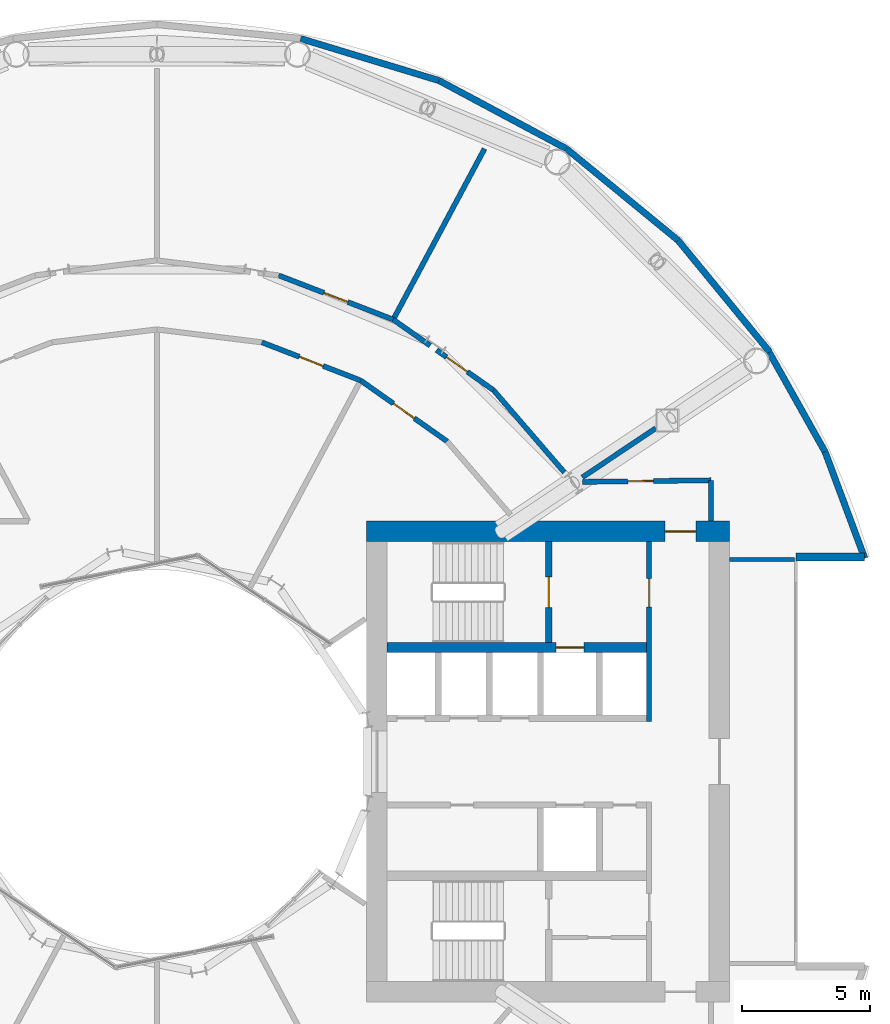
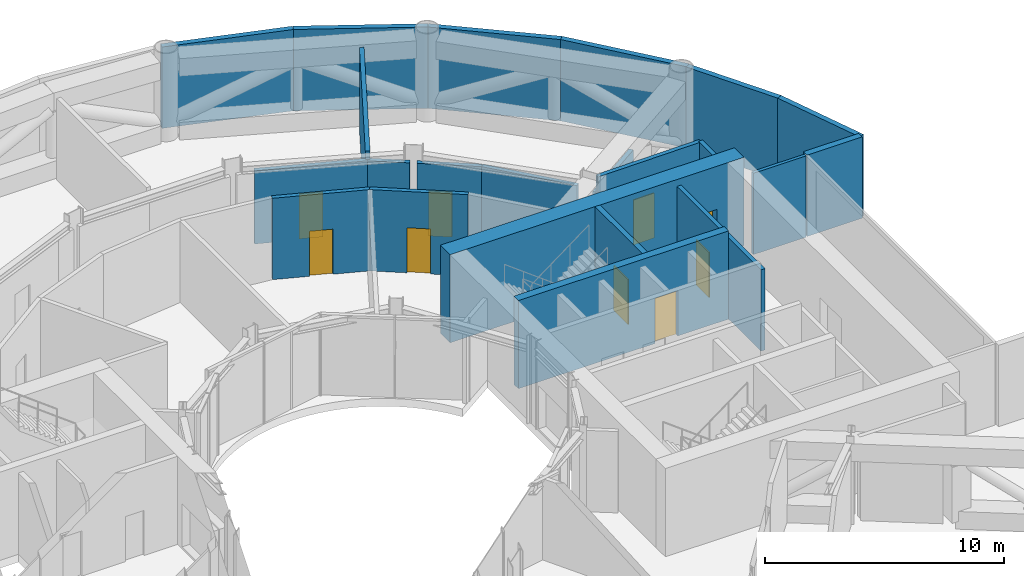
# One storey, part 13 of 15: 22 walls, 9 doors, 9 openings.
"""IFC4 building model written with IfcOpenShell, lengths in metres."""

from ifc_helpers import new_model, si_unit, direction, frame, frame_2d, origin, place, context, subcontext, project, spatial, rectangle, extrude, material, layer, layer_set, type_object, element, fill, save


model = new_model("IFC4")

# Units and contexts
model_context = context("Model", 3, precision=1e-05, world=origin(), true_north=direction((0.0, 1.0)))
body_context = subcontext(model_context, "Body", "Model", "MODEL_VIEW")
ifc_project = project(units=[si_unit("LENGTHUNIT", "METRE"), si_unit("AREAUNIT", "SQUARE_METRE"), si_unit("VOLUMEUNIT", "CUBIC_METRE"), si_unit("PLANEANGLEUNIT", "RADIAN"), si_unit("MASSUNIT", "GRAM", prefix="KILO")], contexts=[model_context])

# Site, building, storey
site_placement = place(None, origin())
site = spatial("IfcSite", under=ifc_project, at=site_placement, CompositionType="ELEMENT")
building_placement = place(site_placement, origin())
building = spatial("IfcBuilding", under=site, at=building_placement, Name="Maasbend Ring Residences", CompositionType="ELEMENT")
storey_placement = place(building_placement, frame((0.0, 0.0, 18.300048828125)))
storey = spatial("IfcBuildingStorey", under=building, at=storey_placement, Name="L04", CompositionType="ELEMENT", Elevation=18.300048828125)

# Walls
ifc_material_1 = material(Name="Concrete C30/37", Category="concrete")
ifc_layer_1 = layer(ifc_material_1, 0.199951171875)
ifc_layer_set_1 = layer_set([ifc_layer_1], Name="Concrete C30/37")
wall_type_1 = type_object("IfcWallType", Name="COMPARTMENT WALL 200 CONCRETE", PredefinedType="PARTITIONING", material=ifc_layer_set_1)
wall_1_placement = place(storey_placement, frame((21.675048828125, 9.39990234375, 0.0), z_axis=(0.0, 0.0, 1.0), x_axis=(0.0, 1.0, 0.0)))
element("IfcWall", 1, at=wall_1_placement, inside=storey, type_object=wall_type_1, Name="U-L04-w002", PredefinedType="PARTITIONING", context=body_context, shape_type="SweptSolid", body=[
    extrude(rectangle(XDim=1.60009765625, YDim=0.199951171875, at=frame_2d((0.800048828125, 0.0))), origin(), (0.0, 0.0, 1.0), 4.14990234375),
])
wall_2_placement = place(storey_placement, frame((16.635986328125, 11.114990234375, 0.0), z_axis=(0.0, 0.0, 1.0), x_axis=(0.831331256958, 0.555777240632, 0.0)))
element("IfcWall", 2, at=wall_2_placement, inside=storey, type_object=wall_type_1, Name="U-L04-w028", PredefinedType="PARTITIONING", context=body_context, shape_type="SweptSolid", body=[
    extrude(rectangle(XDim=3.450927734375, YDim=0.199951171875, at=frame_2d((1.7255859375, 0.0))), origin(), (0.0, 0.0, 1.0), 3.22998046875),
])
wall_3_placement = place(storey_placement, frame((9.241943359375, 17.284912109375, 0.0), z_axis=(0.0, 0.0, 1.0), x_axis=(0.471439510802, 0.881898399848, 0.0)))
element("IfcWall", 3, at=wall_3_placement, inside=storey, type_object=wall_type_1, Name="U-L04-w040", PredefinedType="PARTITIONING", context=body_context, shape_type="SweptSolid", body=[
    extrude(rectangle(XDim=7.57470703125, YDim=0.199951171875, at=frame_2d((3.787353515625, 0.0))), origin(), (0.0, 0.0, 1.0), 4.14990234375),
])

# Wall, opening, door
wall_4_placement = place(storey_placement, frame((16.64306640625, 10.93798828125, 0.0), z_axis=(0.0, 0.0, 1.0), x_axis=(0.999924074118, 0.012322580895, 0.0)))
wall_4 = element("IfcWall", 4, at=wall_4_placement, inside=storey, type_object=wall_type_1, Name="U-L04-w047", PredefinedType="PARTITIONING", context=body_context, shape_type="SweptSolid", body=[
    extrude(rectangle(XDim=5.032470703125, YDim=0.199951171875, at=frame_2d((2.51611328125, 0.0))), origin(), (0.0, 0.0, 1.0), 4.14990234375),
])
opening_1_placement = place(wall_4_placement, frame((1.77001953125, 0.0, 0.0)))
opening_1 = element("IfcOpeningElement", 5, at=opening_1_placement, cuts=wall_4, Name="Opening D-0420", PredefinedType="OPENING", context=body_context, shape_type="SweptSolid", body=[
    extrude(rectangle(XDim=1.0, YDim=2.300048828125, at=frame_2d((0.5, 1.14990234375))), frame((0.0, 0.10986328125, 0.0), z_axis=(0.0, -1.0, 0.0), x_axis=(1.0, 0.0, 0.0)), (0.0, 0.0, 1.0), 0.219970703125),
])
ifc_material_2 = material(Name="Steel, fire-rated, painted", Category="steel")
door_type_1 = type_object("IfcDoorType", Name="PLANT DOOR 1000 X 2300 FIRE-RATED", OperationType="NOTDEFINED", PredefinedType="DOOR", material=ifc_material_2)
door_1_placement = place(opening_1_placement, origin())
door_1 = element("IfcDoor", 6, at=door_1_placement, inside=storey, type_object=door_type_1, Name="D-0420", OperationType="SINGLE_SWING_LEFT", OverallHeight=2.300048828125, OverallWidth=1.0, PredefinedType="DOOR", context=body_context, shape_type="SweptSolid", body=[
    extrude(rectangle(XDim=1.0, YDim=2.300048828125, at=frame_2d((0.5, 1.14990234375))), frame((0.0, 0.02490234375, 0.0), z_axis=(0.0, -1.0, 0.0), x_axis=(1.0, 0.0, 0.0)), (0.0, 0.0, 1.0), 0.050048828125),
])
fill(opening_1, door_1)

wall_5_placement = place(storey_placement, frame((4.10595703125, 16.39404296875, 0.0), z_axis=(0.0, 0.0, 1.0), x_axis=(0.932943640288, -0.360022449363, 0.0)))
wall_5 = element("IfcWall", 7, at=wall_5_placement, inside=storey, type_object=wall_type_1, Name="U-L04-w053", PredefinedType="PARTITIONING", context=body_context, shape_type="SweptSolid", body=[
    extrude(rectangle(XDim=4.138671875, YDim=0.199951171875, at=frame_2d((2.0693359375, 0.0))), origin(), (0.0, 0.0, 1.0), 4.14990234375),
])
opening_2_placement = place(wall_5_placement, frame((1.569091796875, 0.0, 0.0)))
opening_2 = element("IfcOpeningElement", 8, at=opening_2_placement, cuts=wall_5, Name="Opening D-0406", PredefinedType="OPENING", context=body_context, shape_type="SweptSolid", body=[
    extrude(rectangle(XDim=1.0, YDim=2.300048828125, at=frame_2d((0.5, 1.14990234375))), frame((0.0, 0.10986328125, 0.0), z_axis=(0.0, -1.0, 0.0), x_axis=(1.0, 0.0, 0.0)), (0.0, 0.0, 1.0), 0.219970703125),
])
door_2_placement = place(opening_2_placement, origin())
door_2 = element("IfcDoor", 9, at=door_2_placement, inside=storey, type_object=door_type_1, Name="D-0406", OperationType="SINGLE_SWING_LEFT", OverallHeight=2.300048828125, OverallWidth=1.0, PredefinedType="DOOR", context=body_context, shape_type="SweptSolid", body=[
    extrude(rectangle(XDim=1.0, YDim=2.300048828125, at=frame_2d((0.5, 1.14990234375))), frame((0.0, 0.02490234375, 0.0), z_axis=(0.0, -1.0, 0.0), x_axis=(1.0, 0.0, 0.0)), (0.0, 0.0, 1.0), 0.050048828125),
])
fill(opening_2, door_2)

wall_6_placement = place(storey_placement, frame((7.967041015625, 14.904052734375, 0.0), z_axis=(0.0, 0.0, 1.0), x_axis=(0.817567680547, -0.575832517079, 0.0)))
wall_6 = element("IfcWall", 10, at=wall_6_placement, inside=storey, type_object=wall_type_1, Name="U-L04-w054", PredefinedType="PARTITIONING", context=body_context, shape_type="SweptSolid", body=[
    extrude(rectangle(XDim=4.13671875, YDim=0.199951171875, at=frame_2d((2.068359375, 0.0))), origin(), (0.0, 0.0, 1.0), 4.14990234375),
])
opening_3_placement = place(wall_6_placement, frame((1.568115234375, 0.0, 0.0)))
opening_3 = element("IfcOpeningElement", 11, at=opening_3_placement, cuts=wall_6, Name="Opening D-0405", PredefinedType="OPENING", context=body_context, shape_type="SweptSolid", body=[
    extrude(rectangle(XDim=1.0, YDim=2.300048828125, at=frame_2d((0.5, 1.14990234375))), frame((0.0, 0.10986328125, 0.0), z_axis=(0.0, -1.0, 0.0), x_axis=(1.0, 0.0, 0.0)), (0.0, 0.0, 1.0), 0.219970703125),
])
door_3_placement = place(opening_3_placement, origin())
door_3 = element("IfcDoor", 12, at=door_3_placement, inside=storey, type_object=door_type_1, Name="D-0405", OperationType="SINGLE_SWING_LEFT", OverallHeight=2.300048828125, OverallWidth=1.0, PredefinedType="DOOR", context=body_context, shape_type="SweptSolid", body=[
    extrude(rectangle(XDim=1.0, YDim=2.300048828125, at=frame_2d((0.5, 1.14990234375))), frame((0.0, 0.02490234375, 0.0), z_axis=(0.0, -1.0, 0.0), x_axis=(1.0, 0.0, 0.0)), (0.0, 0.0, 1.0), 0.050048828125),
])
fill(opening_3, door_3)

wall_7_placement = place(storey_placement, frame((4.761962890625, 19.012939453125, 0.0), z_axis=(0.0, 0.0, 1.0), x_axis=(0.932988479706, -0.359906233255, 0.0)))
wall_7 = element("IfcWall", 13, at=wall_7_placement, inside=storey, type_object=wall_type_1, Name="U-L04-w064", PredefinedType="PARTITIONING", context=body_context, shape_type="SweptSolid", body=[
    extrude(rectangle(XDim=4.798583984375, YDim=0.199951171875, at=frame_2d((2.3994140625, 0.0))), origin(), (0.0, 0.0, 1.0), 3.72998046875),
])
opening_4_placement = place(wall_7_placement, frame((1.89892578125, 0.0, 0.0)))
opening_4 = element("IfcOpeningElement", 14, at=opening_4_placement, cuts=wall_7, Name="Opening D-0402", PredefinedType="OPENING", context=body_context, shape_type="SweptSolid", body=[
    extrude(rectangle(XDim=1.0, YDim=2.300048828125, at=frame_2d((0.5, 1.14990234375))), frame((0.0, 0.10986328125, 0.0), z_axis=(0.0, -1.0, 0.0), x_axis=(1.0, 0.0, 0.0)), (0.0, 0.0, 1.0), 0.219970703125),
])
door_4_placement = place(opening_4_placement, origin())
door_4 = element("IfcDoor", 15, at=door_4_placement, inside=storey, type_object=door_type_1, Name="D-0402", OperationType="SINGLE_SWING_RIGHT", OverallHeight=2.300048828125, OverallWidth=1.0, PredefinedType="DOOR", context=body_context, shape_type="SweptSolid", body=[
    extrude(rectangle(XDim=1.0, YDim=2.300048828125, at=frame_2d((0.5, 1.14990234375))), frame((0.0, 0.02490234375, 0.0), z_axis=(0.0, -1.0, 0.0), x_axis=(1.0, 0.0, 0.0)), (0.0, 0.0, 1.0), 0.050048828125),
])
fill(opening_4, door_4)

# Wall
wall_8_placement = place(storey_placement, frame((9.239013671875, 17.285888671875, 0.0), z_axis=(0.0, 0.0, 1.0), x_axis=(0.817849682833, -0.575431921508, 0.0)))
element("IfcWall", 16, at=wall_8_placement, inside=storey, type_object=wall_type_1, Name="U-L04-w065", PredefinedType="PARTITIONING", context=body_context, shape_type="SweptSolid", body=[
    extrude(rectangle(XDim=1.7705078125, YDim=0.199951171875, at=frame_2d((0.88525390625, 0.0))), origin(), (0.0, 0.0, 1.0), 3.72998046875),
])

# Wall, opening, door
wall_9_placement = place(storey_placement, frame((10.93505859375, 16.092041015625, 0.0), z_axis=(0.0, 0.0, 1.0), x_axis=(0.817595540973, -0.575792958781, 0.0)))
wall_9 = element("IfcWall", 17, at=wall_9_placement, inside=storey, type_object=wall_type_1, Name="U-L04-w066", PredefinedType="PARTITIONING", context=body_context, shape_type="SweptSolid", body=[
    extrude(rectangle(XDim=2.72509765625, YDim=0.199951171875, at=frame_2d((1.362548828125, 0.0))), origin(), (0.0, 0.0, 1.0), 3.72998046875),
])
opening_5_placement = place(wall_9_placement, frame((0.47607421875, 0.0, 0.0)))
opening_5 = element("IfcOpeningElement", 18, at=opening_5_placement, cuts=wall_9, Name="Opening D-0401", PredefinedType="OPENING", context=body_context, shape_type="SweptSolid", body=[
    extrude(rectangle(XDim=1.0, YDim=2.300048828125, at=frame_2d((0.5, 1.14990234375))), frame((0.0, 0.10986328125, 0.0), z_axis=(0.0, -1.0, 0.0), x_axis=(1.0, 0.0, 0.0)), (0.0, 0.0, 1.0), 0.219970703125),
])
door_5_placement = place(opening_5_placement, origin())
door_5 = element("IfcDoor", 19, at=door_5_placement, inside=storey, type_object=door_type_1, Name="D-0401", OperationType="SINGLE_SWING_LEFT", OverallHeight=2.300048828125, OverallWidth=1.0, PredefinedType="DOOR", context=body_context, shape_type="SweptSolid", body=[
    extrude(rectangle(XDim=1.0, YDim=2.300048828125, at=frame_2d((0.5, 1.14990234375))), frame((0.0, 0.02490234375, 0.0), z_axis=(0.0, -1.0, 0.0), x_axis=(1.0, 0.0, 0.0)), (0.0, 0.0, 1.0), 0.050048828125),
])
fill(opening_5, door_5)

# Wall
wall_10_placement = place(storey_placement, frame((13.1630859375, 14.52294921875, 0.0), z_axis=(0.0, 0.0, 1.0), x_axis=(0.653128497371, -0.757247097005, 0.0)))
element("IfcWall", 20, at=wall_10_placement, inside=storey, type_object=wall_type_1, Name="U-L04-w067", PredefinedType="PARTITIONING", context=body_context, shape_type="SweptSolid", body=[
    extrude(rectangle(XDim=4.244140625, YDim=0.199951171875, at=frame_2d((2.1220703125, 0.0))), origin(), (0.0, 0.0, 1.0), 3.72998046875),
])

# Wall, opening, door
ifc_material_3 = material(Name="Concrete C70/85", Category="concrete")
ifc_layer_2 = layer(ifc_material_3, 0.25)
ifc_layer_set_2 = layer_set([ifc_layer_2], Name="Concrete C70/85")
wall_type_2 = type_object("IfcWallType", Name="CORE WALL 250 C70/85", PredefinedType="SHEAR", material=ifc_layer_set_2)
wall_11_placement = place(storey_placement, frame((15.324951171875, 4.64990234375, 0.0), z_axis=(0.0, 0.0, 1.0), x_axis=(0.0, 1.0, 0.0)))
wall_11 = element("IfcWall", 21, at=wall_11_placement, inside=storey, type_object=wall_type_2, Name="L04 core E wall STEN", PredefinedType="SHEAR", context=body_context, shape_type="SweptSolid", body=[
    extrude(rectangle(XDim=3.9501953125, YDim=0.25, at=frame_2d((1.97509765625, 0.0))), origin(), (0.0, 0.0, 1.0), 4.5),
])
opening_6_placement = place(wall_11_placement, frame((1.375, 0.0, 0.0)))
opening_6 = element("IfcOpeningElement", 22, at=opening_6_placement, cuts=wall_11, Name="Opening D-E0409", PredefinedType="OPENING", context=body_context, shape_type="SweptSolid", body=[
    extrude(rectangle(XDim=1.199951171875, YDim=2.300048828125, at=frame_2d((0.60009765625, 1.14990234375))), frame((0.0, 0.135009765625, 0.0), z_axis=(0.0, -1.0, 0.0), x_axis=(1.0, 0.0, 0.0)), (0.0, 0.0, 1.0), 0.27001953125),
])
ifc_material_4 = material(Name="Steel, powder coated", Category="steel")
door_type_2 = type_object("IfcDoorType", Name="STAIR DOOR 1200 X 2300 FD60", OperationType="NOTDEFINED", PredefinedType="DOOR", material=ifc_material_4)
door_6_placement = place(opening_6_placement, origin())
door_6 = element("IfcDoor", 23, at=door_6_placement, inside=storey, type_object=door_type_2, Name="Stair door ST-E L04", OperationType="SINGLE_SWING_LEFT", OverallHeight=2.300048828125, OverallWidth=1.199951171875, PredefinedType="DOOR", context=body_context, shape_type="SweptSolid", body=[
    extrude(rectangle(XDim=1.199951171875, YDim=2.300048828125, at=frame_2d((0.60009765625, 1.14990234375))), frame((0.0, 0.02490234375, 0.0), z_axis=(0.0, -1.0, 0.0), x_axis=(1.0, 0.0, 0.0)), (0.0, 0.0, 1.0), 0.050048828125),
])
fill(opening_6, door_6)

ifc_material_5 = material(Name="Concrete C70/85", Category="concrete")
ifc_layer_3 = layer(ifc_material_5, 0.375)
ifc_layer_set_3 = layer_set([ifc_layer_3], Name="Concrete C70/85")
wall_type_3 = type_object("IfcWallType", Name="CORE WALL 375 C70/85", PredefinedType="SHEAR", material=ifc_layer_set_3)
wall_12_placement = place(storey_placement, frame((9.0, 4.46240234375, 0.0), z_axis=(0.0, 0.0, 1.0), x_axis=(1.0, 0.0, 0.0)))
wall_12 = element("IfcWall", 24, at=wall_12_placement, inside=storey, type_object=wall_type_3, Name="L04 core E wall BN", PredefinedType="SHEAR", context=body_context, shape_type="SweptSolid", body=[
    extrude(rectangle(XDim=10.14990234375, YDim=0.375, at=frame_2d((5.074951171875, 0.0))), origin(), (0.0, 0.0, 1.0), 4.5),
])
opening_7_placement = place(wall_12_placement, frame((6.60009765625, 0.0, 0.0)))
opening_7 = element("IfcOpeningElement", 25, at=opening_7_placement, cuts=wall_12, Name="Opening LD-E0404", PredefinedType="OPENING", context=body_context, shape_type="SweptSolid", body=[
    extrude(rectangle(XDim=1.10009765625, YDim=2.300048828125, at=frame_2d((0.550048828125, 1.14990234375))), frame((0.0, 0.197509765625, 0.0), z_axis=(0.0, -1.0, 0.0), x_axis=(1.0, 0.0, 0.0)), (0.0, 0.0, 1.0), 0.39501953125),
])
ifc_material_6 = material(Name="Stainless steel 316", Category="steel")
door_type_3 = type_object("IfcDoorType", Name="LANDING DOOR 1100 X 2300 FD60", OperationType="DOUBLE_DOOR_SLIDING", PredefinedType="DOOR", material=ifc_material_6)
door_7_placement = place(opening_7_placement, origin())
door_7 = element("IfcDoor", 26, at=door_7_placement, inside=storey, type_object=door_type_3, Name="Landing door FF-E L04", OperationType="DOUBLE_DOOR_SLIDING", OverallHeight=2.300048828125, OverallWidth=1.10009765625, PredefinedType="DOOR", context=body_context, shape_type="SweptSolid", body=[
    extrude(rectangle(XDim=1.10009765625, YDim=2.300048828125, at=frame_2d((0.550048828125, 1.14990234375))), frame((0.0, 0.02490234375, 0.0), z_axis=(0.0, -1.0, 0.0), x_axis=(1.0, 0.0, 0.0)), (0.0, 0.0, 1.0), 0.050048828125),
])
fill(opening_7, door_7)

ifc_material_7 = material(Name="Concrete C70/85", Category="concrete")
ifc_layer_4 = layer(ifc_material_7, 0.800048828125)
ifc_layer_set_4 = layer_set([ifc_layer_4], Name="Concrete C70/85")
wall_type_4 = type_object("IfcWallType", Name="CORE WALL 800 C70/85", PredefinedType="SHEAR", material=ifc_layer_set_4)
wall_13_placement = place(storey_placement, frame((22.39990234375, 9.0, 0.0), z_axis=(0.0, 0.0, 1.0), x_axis=(-1.0, 0.0, 0.0)))
wall_13 = element("IfcWall", 27, at=wall_13_placement, inside=storey, type_object=wall_type_4, Name="L04 core E wall PN", PredefinedType="SHEAR", context=body_context, shape_type="SweptSolid", body=[
    extrude(rectangle(XDim=14.199951171875, YDim=0.800048828125, at=frame_2d((7.10009765625, 0.0))), origin(), (0.0, 0.0, 1.0), 4.5),
])
opening_8_placement = place(wall_13_placement, frame((1.324951171875, 0.0, 0.0)))
opening_8 = element("IfcOpeningElement", 28, at=opening_8_placement, cuts=wall_13, Name="Opening D-E0413", PredefinedType="OPENING", context=body_context, shape_type="SweptSolid", body=[
    extrude(rectangle(XDim=1.199951171875, YDim=2.300048828125, at=frame_2d((0.60009765625, 1.14990234375))), frame((0.0, 0.41015625, 0.0), z_axis=(0.0, -1.0, 0.0), x_axis=(1.0, 0.0, 0.0)), (0.0, 0.0, 1.0), 0.820068359375),
])
ifc_material_8 = material(Name="Steel, powder coated", Category="steel")
door_type_4 = type_object("IfcDoorType", Name="CORRIDOR DOOR 1200 X 2300 FD30S", OperationType="NOTDEFINED", PredefinedType="DOOR", material=ifc_material_8)
door_8_placement = place(opening_8_placement, origin())
door_8 = element("IfcDoor", 29, at=door_8_placement, inside=storey, type_object=door_type_4, Name="Corridor door L04", OperationType="SINGLE_SWING_RIGHT", OverallHeight=2.300048828125, OverallWidth=1.199951171875, PredefinedType="DOOR", context=body_context, shape_type="SweptSolid", body=[
    extrude(rectangle(XDim=1.199951171875, YDim=2.300048828125, at=frame_2d((0.60009765625, 1.14990234375))), frame((0.0, 0.02490234375, 0.0), z_axis=(0.0, -1.0, 0.0), x_axis=(1.0, 0.0, 0.0)), (0.0, 0.0, 1.0), 0.050048828125),
])
fill(opening_8, door_8)

# Walls
ifc_material_9 = material(Name="Louvred aluminium panel", Category="aluminium")
ifc_layer_5 = layer(ifc_material_9, 0.25)
ifc_layer_set_5 = layer_set([ifc_layer_5], Name="EW-LV")
wall_type_5 = type_object("IfcWallType", Name="EW-LV", PredefinedType="SOLIDWALL", material=ifc_layer_set_5)
for number, where, z_axis, x_axis, name in (
    (30, (23.967041015625, 16.013916015625, 0.0), (0.0, 0.0, 1.0), (-0.634403999748, 0.773001659186, 0.0), "External wall N01"),
    (31, (20.382080078125, 20.382080078125, 0.0), (0.0, 0.0, 1.0), (-0.773001659186, 0.634403999748, 0.0), "External wall N02"),
):
    element("IfcWall", number, at=place(storey_placement, frame(where, z_axis=z_axis, x_axis=x_axis)), inside=storey, type_object=wall_type_5, Name=name, PredefinedType="SOLIDWALL", context=body_context, shape_type="SweptSolid", body=[
        extrude(rectangle(XDim=5.65087890625, YDim=0.25, at=frame_2d((2.825439453125, 0.0))), origin(), (0.0, 0.0, 1.0), 4.14990234375),
    ])
wall_14_placement = place(storey_placement, frame((16.013916015625, 23.967041015625, 0.0), z_axis=(0.0, 0.0, 1.0), x_axis=(-0.881874058161, 0.471485042756, 0.0)))
element("IfcWall", 32, at=wall_14_placement, inside=storey, type_object=wall_type_5, Name="External wall N03", PredefinedType="SOLIDWALL", context=body_context, shape_type="SweptSolid", body=[
    extrude(rectangle(XDim=5.650390625, YDim=0.25, at=frame_2d((2.8251953125, 0.0))), origin(), (0.0, 0.0, 1.0), 4.14990234375),
])
wall_15_placement = place(storey_placement, frame((11.031005859375, 26.631103515625, 0.0), z_axis=(0.0, 0.0, 1.0), x_axis=(-0.956969521741, 0.29018844646, 0.0)))
element("IfcWall", 33, at=wall_15_placement, inside=storey, type_object=wall_type_5, Name="External wall N04", PredefinedType="SOLIDWALL", context=body_context, shape_type="SweptSolid", body=[
    extrude(rectangle(XDim=5.651123046875, YDim=0.25, at=frame_2d((2.82568359375, 0.0))), origin(), (0.0, 0.0, 1.0), 4.14990234375),
])
wall_16_placement = place(storey_placement, frame((27.681884765625, 7.945068359375, 0.0), z_axis=(0.0, 0.0, 1.0), x_axis=(-0.349247811493, 0.937030397675, 0.0)))
element("IfcWall", 34, at=wall_16_placement, inside=storey, type_object=wall_type_5, Name="Horn wall 1.1", PredefinedType="SOLIDWALL", context=body_context, shape_type="SweptSolid", body=[
    extrude(rectangle(XDim=4.4521484375, YDim=0.25, at=frame_2d((2.22607421875, 0.0))), origin(), (0.0, 0.0, 1.0), 4.14990234375),
])
wall_17_placement = place(storey_placement, frame((26.126953125, 12.116943359375, 0.0), z_axis=(0.0, 0.0, 1.0), x_axis=(-0.489696356642, 0.871893042919, 0.0)))
element("IfcWall", 35, at=wall_17_placement, inside=storey, type_object=wall_type_5, Name="Horn wall 1.2", PredefinedType="SOLIDWALL", context=body_context, shape_type="SweptSolid", body=[
    extrude(rectangle(XDim=4.45361328125, YDim=0.25, at=frame_2d((2.226806640625, 0.0))), origin(), (0.0, 0.0, 1.0), 4.14990234375),
])
ifc_material_10 = material(Name="Aluminium clad insulated panel", Category="aluminium")
ifc_layer_6 = layer(ifc_material_10, 0.300048828125)
ifc_layer_set_6 = layer_set([ifc_layer_6], Name="EW-RET")
wall_type_6 = type_object("IfcWallType", Name="EW-RET", PredefinedType="SOLIDWALL", material=ifc_layer_set_6)
wall_18_placement = place(storey_placement, frame((25.0, 8.0, 0.0), z_axis=(0.0, 0.0, 1.0), x_axis=(1.0, 0.0, 0.0)))
element("IfcWall", 36, at=wall_18_placement, inside=storey, type_object=wall_type_6, Name="Notch return wall east north", PredefinedType="SOLIDWALL", context=body_context, shape_type="SweptSolid", body=[
    extrude(rectangle(XDim=2.6669921875, YDim=0.300048828125, at=frame_2d((1.33349609375, 0.0))), origin(), (0.0, 0.0, 1.0), 4.14990234375),
])
ifc_material_11 = material(Name="Gypsum board on steel studs", Category="steel")
ifc_layer_7 = layer(ifc_material_11, 0.14990234375)
ifc_layer_set_7 = layer_set([ifc_layer_7], Name="PARTITION 150 EI 60")
wall_type_7 = type_object("IfcWallType", Name="PARTITION 150 EI 60", PredefinedType="PARTITIONING", material=ifc_layer_set_7)
wall_19_placement = place(storey_placement, frame((22.39990234375, 7.89990234375, 0.0), z_axis=(0.0, 0.0, 1.0), x_axis=(1.0, 0.0, 0.0)))
element("IfcWall", 37, at=wall_19_placement, inside=storey, type_object=wall_type_7, Name="L04 core E wall CITN", PredefinedType="PARTITIONING", context=body_context, shape_type="SweptSolid", body=[
    extrude(rectangle(XDim=2.5400390625, YDim=0.14990234375, at=frame_2d((1.27001953125, 0.0))), origin(), (0.0, 0.0, 1.0), 4.14990234375),
])

# Wall, opening, door
ifc_material_12 = material(Name="Concrete C30/37", Category="concrete")
ifc_layer_8 = layer(ifc_material_12, 0.199951171875)
ifc_layer_set_8 = layer_set([ifc_layer_8], Name="Concrete C30/37")
wall_type_8 = type_object("IfcWallType", Name="SHAFT WALL 200 EI 120", PredefinedType="SOLIDWALL", material=ifc_layer_set_8)
wall_20_placement = place(storey_placement, frame((19.25, 1.574951171875, 0.0), z_axis=(0.0, 0.0, 1.0), x_axis=(0.0, 1.0, 0.0)))
wall_20 = element("IfcWall", 38, at=wall_20_placement, inside=storey, type_object=wall_type_8, Name="L04 core E wall ENDN", PredefinedType="SOLIDWALL", context=body_context, shape_type="SweptSolid", body=[
    extrude(rectangle(XDim=7.025146484375, YDim=0.199951171875, at=frame_2d((3.5126953125, 0.0))), origin(), (0.0, 0.0, 1.0), 4.14990234375),
])
opening_9_placement = place(wall_20_placement, frame((4.47509765625, 0.0, 0.0)))
opening_9 = element("IfcOpeningElement", 39, at=opening_9_placement, cuts=wall_20, Name="Opening D-E0411", PredefinedType="OPENING", context=body_context, shape_type="SweptSolid", body=[
    extrude(rectangle(XDim=1.10009765625, YDim=2.300048828125, at=frame_2d((0.550048828125, 1.14990234375))), frame((0.0, 0.10986328125, 0.0), z_axis=(0.0, -1.0, 0.0), x_axis=(1.0, 0.0, 0.0)), (0.0, 0.0, 1.0), 0.219970703125),
])
ifc_material_13 = material(Name="Steel, powder coated", Category="steel")
door_type_5 = type_object("IfcDoorType", Name="LOBBY DOOR 1100 X 2300 FD60", OperationType="NOTDEFINED", PredefinedType="DOOR", material=ifc_material_13)
door_9_placement = place(opening_9_placement, origin())
door_9 = element("IfcDoor", 40, at=door_9_placement, inside=storey, type_object=door_type_5, Name="Lobby door L04", OperationType="SINGLE_SWING_LEFT", OverallHeight=2.300048828125, OverallWidth=1.10009765625, PredefinedType="DOOR", context=body_context, shape_type="SweptSolid", body=[
    extrude(rectangle(XDim=1.10009765625, YDim=2.300048828125, at=frame_2d((0.550048828125, 1.14990234375))), frame((0.0, 0.02490234375, 0.0), z_axis=(0.0, -1.0, 0.0), x_axis=(1.0, 0.0, 0.0)), (0.0, 0.0, 1.0), 0.050048828125),
])
fill(opening_9, door_9)

save(model, "model.ifc")
